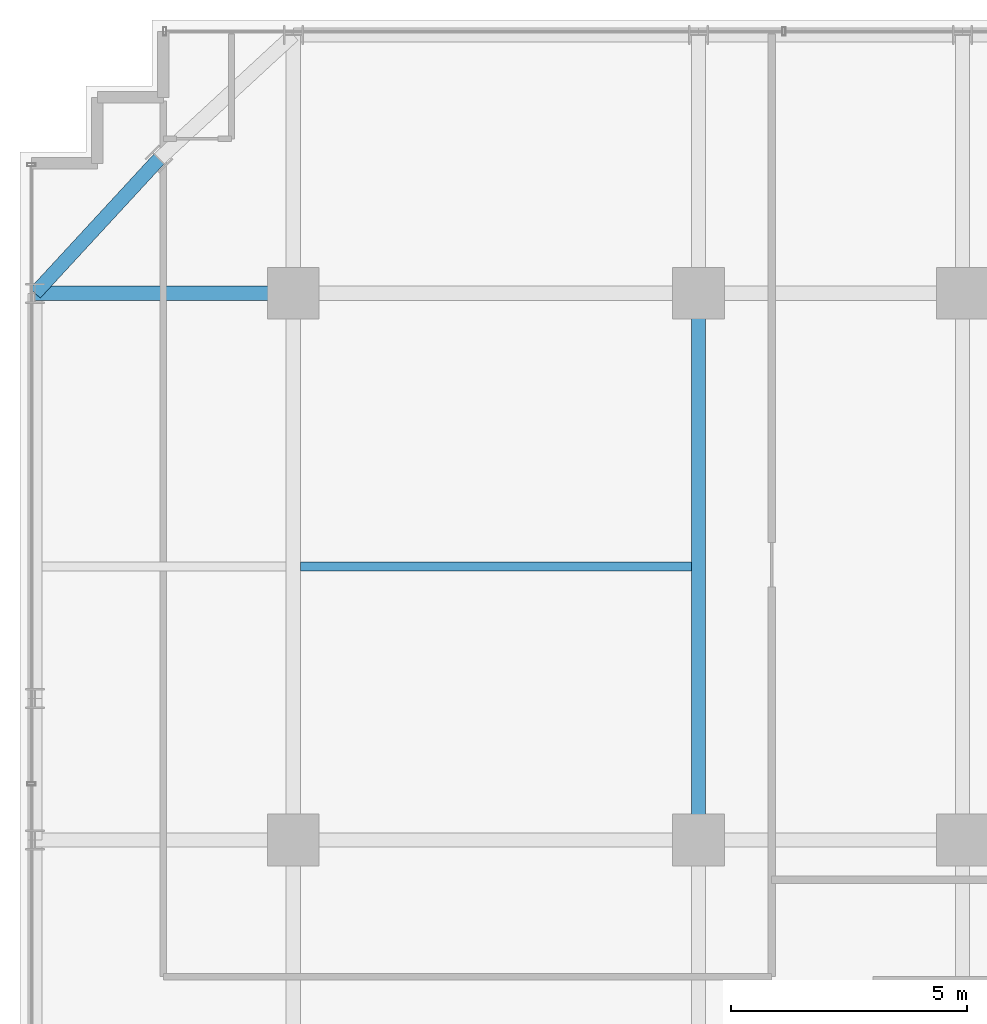
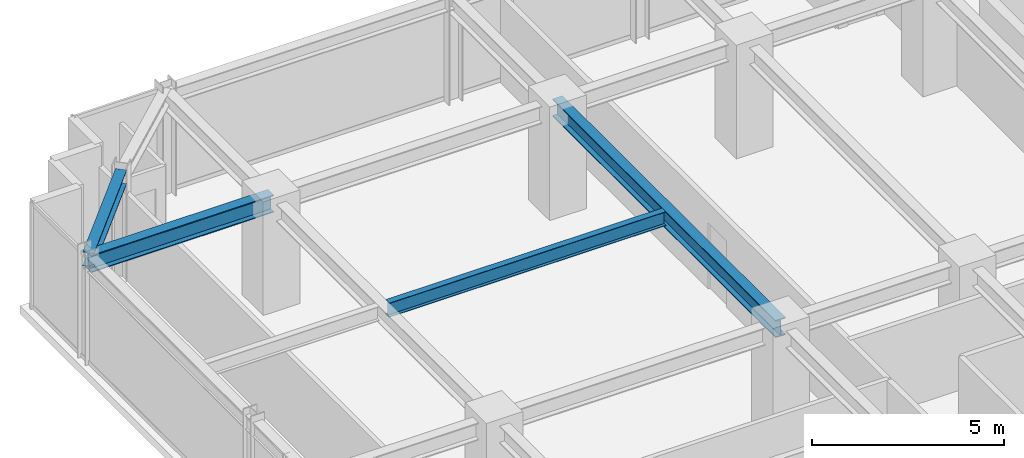
# One storey, part 14 of 31: 4 beams.
"""IFC4 building model written with IfcOpenShell, lengths in metres."""

from ifc_helpers import new_model, si_unit, direction, frame, origin, origin_2d, place, context, subcontext, project, spatial, i_section, extrude, source, transform, mapped, material, material_profile, profile_set, type_object, element, save


model = new_model("IFC4")

# Units and contexts
model_context = context("Model", 3, precision=1e-05, world=origin(), true_north=direction((0.0, 1.0)))
body_context = subcontext(model_context, "Body", "Model", "MODEL_VIEW")
ifc_project = project(units=[si_unit("LENGTHUNIT", "METRE"), si_unit("AREAUNIT", "SQUARE_METRE"), si_unit("VOLUMEUNIT", "CUBIC_METRE"), si_unit("PLANEANGLEUNIT", "RADIAN"), si_unit("MASSUNIT", "GRAM", prefix="KILO")], contexts=[model_context])

# Site, building, storey
site_placement = place(None, origin())
site = spatial("IfcSite", under=ifc_project, at=site_placement, CompositionType="ELEMENT")
building_placement = place(site_placement, origin())
building = spatial("IfcBuilding", under=site, at=building_placement, Name="Nahalor Promenade Grand Hotel", CompositionType="ELEMENT")
storey_placement = place(building_placement, frame((0.0, 0.0, 192.800048828125)))
storey = spatial("IfcBuildingStorey", under=building, at=storey_placement, Name="L49", CompositionType="ELEMENT", Elevation=192.800048828125)

# Beams
ifc_material = material(Name="Steel S355JR", Category="steel")
ifc_material_profile_1 = material_profile(ifc_material, i_section(OverallWidth=0.3, OverallDepth=0.55, WebThickness=0.015, FlangeThickness=0.029, at=origin_2d()), Name="HEB 550")
ifc_profile_set_1 = profile_set([ifc_material_profile_1], Name="Steel S355JR")
beam_type_1 = type_object("IfcBeamType", Name="Beam-Girder-HEB550", PredefinedType="BEAM", material=ifc_profile_set_1)
shared_shape_1 = source(origin(), body_context, "Body", "SweptSolid", [
    extrude(i_section(OverallWidth=0.3, OverallDepth=0.55, WebThickness=0.015, FlangeThickness=0.029, at=origin_2d()), origin(), (0.0, 0.0, 1.0), 11.60009765625),
])
beam_1_placement = place(storey_placement, frame((-8.39990234375, 5.39990234375, 3.114990234375), z_axis=(0.0, 1.0, 0.0), x_axis=(-1.0, 0.0, 0.0)))
element("IfcBeam", 1, at=beam_1_placement, inside=storey, type_object=beam_type_1, Name="BM-L49-GY-1-3", PredefinedType="BEAM", context=body_context, shape_type="MappedRepresentation", body=[
    mapped(shared_shape_1, transform((0.0, 0.0, 0.0), scale=1.0)),
])
ifc_material_profile_2 = material_profile(ifc_material, i_section(OverallWidth=0.19, OverallDepth=0.45, WebThickness=0.0094, FlangeThickness=0.0146, at=origin_2d()), Name="IPE 450")
ifc_profile_set_2 = profile_set([ifc_material_profile_2], Name="Steel S355JR")
beam_type_2 = type_object("IfcBeamType", Name="Beam-Joist-IPE450", PredefinedType="JOIST", material=ifc_profile_set_2)
shared_shape_2 = source(origin(), body_context, "Body", "SweptSolid", [
    extrude(i_section(OverallWidth=0.19, OverallDepth=0.45, WebThickness=0.0094, FlangeThickness=0.0146, at=origin_2d()), origin(), (0.0, 0.0, 1.0), 8.300048828125),
])
beam_2_placement = place(storey_placement, frame((-16.85009765625, 11.199951171875, 3.1650390625), z_axis=(1.0, 0.0, 0.0), x_axis=(0.0, 1.0, 0.0)))
element("IfcBeam", 2, at=beam_2_placement, inside=storey, type_object=beam_type_2, Name="BM-L49-JSW-1-1", PredefinedType="JOIST", context=body_context, shape_type="MappedRepresentation", body=[
    mapped(shared_shape_2, transform((0.0, 0.0, 0.0), scale=1.0)),
])
shared_shape_3 = source(origin(), body_context, "Body", "SweptSolid", [
    extrude(i_section(OverallWidth=0.3, OverallDepth=0.55, WebThickness=0.015, FlangeThickness=0.029, at=origin_2d()), origin(), (0.0, 0.0, 1.0), 5.47998046875),
])
beam_3_placement = place(storey_placement, frame((-22.47998046875, 17.0, 3.114990234375), z_axis=(1.0, 0.0, 0.0), x_axis=(0.0, 1.0, 0.0)))
element("IfcBeam", 3, at=beam_3_placement, inside=storey, type_object=beam_type_1, Name="BM-L49-GX-3-0", PredefinedType="BEAM", context=body_context, shape_type="MappedRepresentation", body=[
    mapped(shared_shape_3, transform((0.0, 0.0, 0.0), scale=1.0)),
])
ifc_material_profile_3 = material_profile(ifc_material, i_section(OverallWidth=0.3, OverallDepth=0.45, WebThickness=0.014, FlangeThickness=0.026, at=origin_2d()), Name="HEB 450")
ifc_profile_set_3 = profile_set([ifc_material_profile_3], Name="Steel S355JR")
beam_type_3 = type_object("IfcBeamType", Name="Beam-Spandrel-HEB450", PredefinedType="SPANDREL", material=ifc_profile_set_3)
shared_shape_4 = source(origin(), body_context, "Body", "SweptSolid", [
    extrude(i_section(OverallWidth=0.3, OverallDepth=0.45, WebThickness=0.014, FlangeThickness=0.026, at=origin_2d()), origin(), (0.0, 0.0, 1.0), 3.878173828125),
])
beam_4_placement = place(storey_placement, frame((-19.85009765625, 19.85009765625, 3.1650390625), z_axis=(-0.678144125843, -0.73492893846, 0.0), x_axis=(0.73492893846, -0.678144125843, 0.0)))
element("IfcBeam", 4, at=beam_4_placement, inside=storey, type_object=beam_type_3, Name="BM-L49-SPC-NW-2", PredefinedType="SPANDREL", context=body_context, shape_type="MappedRepresentation", body=[
    mapped(shared_shape_4, transform((0.0, 0.0, 0.0), scale=1.0)),
])

save(model, "model.ifc")
